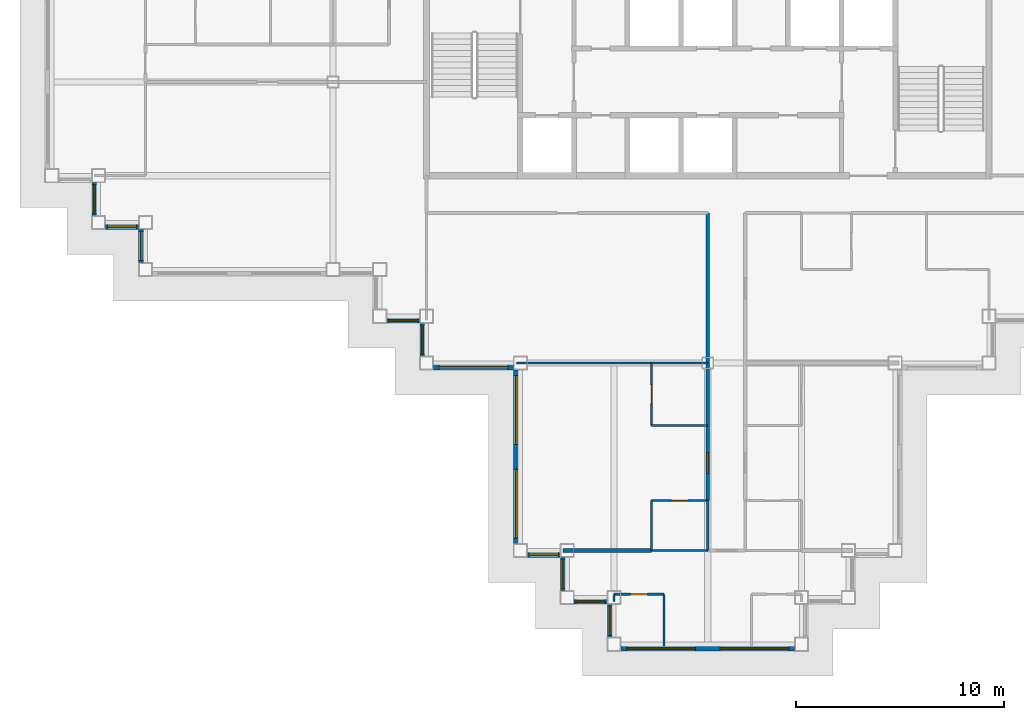
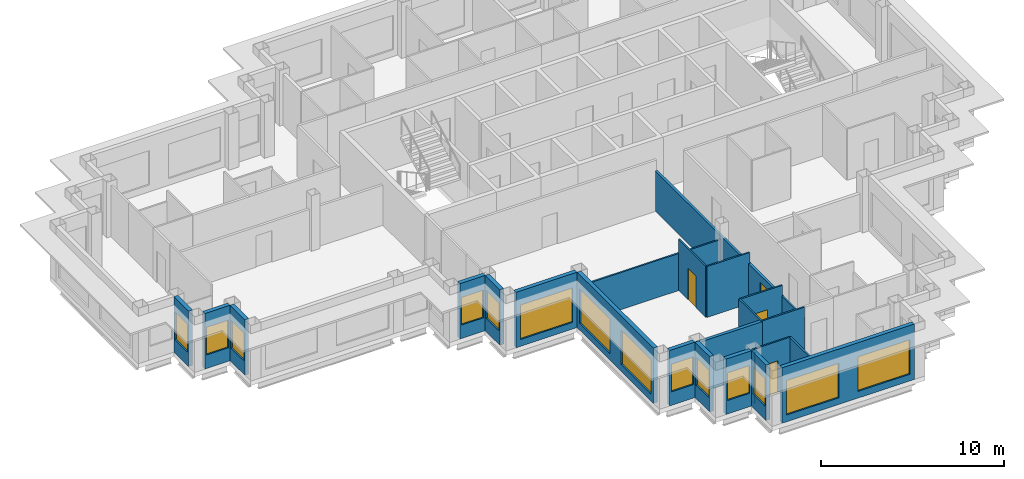
# One storey, part 2 of 12: 24 walls, 14 windows, 4 doors, 18 openings.
"""IFC4 building model written with IfcOpenShell, lengths in metres."""

import ifcopenshell
import ifcopenshell.guid

model = None  # the IFC model being written
_history = None  # IfcOwnerHistory: only IFC2X3 demands one
_inside = {}  # id of a spatial element -> (the spatial element, [elements in it])
_under = {}  # id of a project, library or spatial element -> (it, [spatial elements below it])
_declared = {}  # id of a project -> (the project, [libraries it declares])
_typed = {}  # id of a type object -> (the type object, [elements of that type])
_made_of = {}  # id of a material, layer set ... -> (it, [elements and type objects made of it])


def new_model(schema):
    """Start an empty IFC model of exactly this schema.

    Asked for "IFC4X3", IfcOpenShell would pick the latest addendum, in which some entities
    have other attributes; the version numbers below select the first issue.
    IFC2X3 requires an IfcOwnerHistory on every rooted entity: one is made here for all.
    """
    global model, _history
    if schema == "IFC4X3":
        model = ifcopenshell.file(schema_version=(4, 3, 0, 0))
    else:
        model = ifcopenshell.file(schema=schema)
    _inside.clear()
    _under.clear()
    _declared.clear()
    _typed.clear()
    _made_of.clear()
    _history = None
    if model.schema == "IFC2X3":
        org = make("IfcOrganization", Name="unknown")
        user = make(
            "IfcPersonAndOrganization",
            ThePerson=make("IfcPerson", FamilyName="unknown"),
            TheOrganization=org,
        )
        app = make(
            "IfcApplication",
            ApplicationDeveloper=org,
            Version="unknown",
            ApplicationFullName="unknown",
            ApplicationIdentifier="unknown",
        )
        _history = make(
            "IfcOwnerHistory",
            OwningUser=user,
            OwningApplication=app,
            ChangeAction="ADDED",
            CreationDate=0,
        )
    return model


def make(cls, **values):
    """One entity of the class cls with the attributes given. An attribute that is None is left unset."""
    return model.create_entity(
        cls, **{name: value for name, value in values.items() if value is not None}
    )


def rooted(cls, **values):
    """An entity with a GlobalId (a new one), such as an element, a storey or a relation."""
    return make(cls, GlobalId=ifcopenshell.guid.new(), OwnerHistory=_history, **values)


def si_unit(unit_type, name, prefix=None):
    """IfcSIUnit, for example si_unit("LENGTHUNIT", "METRE", prefix="MILLI")."""
    return make("IfcSIUnit", UnitType=unit_type, Prefix=prefix, Name=name)


def assignment(units):
    """IfcUnitAssignment: the units of a project."""
    return None if units is None else make("IfcUnitAssignment", Units=units)


def point(xyz):
    """IfcCartesianPoint."""
    return None if xyz is None else make("IfcCartesianPoint", Coordinates=xyz)


def direction(xyz):
    """IfcDirection."""
    return None if xyz is None else make("IfcDirection", DirectionRatios=xyz)


def frame(location, z_axis=None, x_axis=None):
    """IfcAxis2Placement3D, a coordinate frame: its origin and axes. An axis left out is left unset."""
    return make(
        "IfcAxis2Placement3D",
        Location=point(location),
        Axis=direction(z_axis),
        RefDirection=direction(x_axis),
    )


def frame_2d(location, x_axis=None):
    """IfcAxis2Placement2D, a coordinate frame in the plane: its origin and x axis."""
    return make(
        "IfcAxis2Placement2D", Location=point(location), RefDirection=direction(x_axis)
    )


def origin():
    """The frame at (0, 0, 0) with its axes left unset."""
    return frame((0.0, 0.0, 0.0))


def place(relative_to, where):
    """IfcLocalPlacement: puts the frame where relative to a parent placement (None: the world)."""
    return make(
        "IfcLocalPlacement", PlacementRelTo=relative_to, RelativePlacement=where
    )


def context(
    kind, dimensions, precision=None, world=None, true_north=None, identifier=None
):
    """IfcGeometricRepresentationContext, for example the 3D "Model" context."""
    return make(
        "IfcGeometricRepresentationContext",
        ContextIdentifier=identifier,
        ContextType=kind,
        CoordinateSpaceDimension=dimensions,
        Precision=precision,
        WorldCoordinateSystem=world,
        TrueNorth=true_north,
    )


def subcontext(parent, identifier, kind, view, scale=None):
    """IfcGeometricRepresentationSubContext, for example "Body" below "Model"."""
    return make(
        "IfcGeometricRepresentationSubContext",
        ContextIdentifier=identifier,
        ContextType=kind,
        ParentContext=parent,
        TargetScale=scale,
        TargetView=view,
    )


def project(units=None, contexts=None):
    """IfcProject with its units and contexts."""
    return rooted(
        "IfcProject",
        Name="project",
        RepresentationContexts=contexts,
        UnitsInContext=assignment(units),
    )


def spatial(cls, under=None, at=None, **own):
    """A site, building, storey or space (cls), placed at a placement, below another one or the project."""
    s = rooted(cls, ObjectPlacement=at, **own)
    if under is not None:
        _under.setdefault(under.id(), (under, []))[1].append(s)
    return s


def profile(cls, at=None, kind="AREA", **sizes):
    """A parametric profile (cls). Its sizes go by their IFC names, for example OverallWidth=200.0."""
    return make(cls, ProfileType=kind, Position=at, **sizes)


def rectangle(**sizes):
    """IfcRectangleProfileDef."""
    return profile("IfcRectangleProfileDef", **sizes)


def extrude(swept, where, along, depth):
    """IfcExtrudedAreaSolid: the profile swept, set in the frame where, extruded along a direction by depth."""
    return make(
        "IfcExtrudedAreaSolid",
        SweptArea=swept,
        Position=where,
        ExtrudedDirection=direction(along),
        Depth=depth,
    )


def shape(context_of_items, identifier, shape_type, items):
    """IfcShapeRepresentation: the items that make up one representation, for example the "Body"."""
    return make(
        "IfcShapeRepresentation",
        ContextOfItems=context_of_items,
        RepresentationIdentifier=identifier,
        RepresentationType=shape_type,
        Items=items,
    )


def material(Name=None, Category=None):
    """IfcMaterial."""
    return make("IfcMaterial", Name=Name, Category=Category)


def layer(
    of_material, thickness, ventilated=None, Name=None, Category=None, Priority=None
):
    """IfcMaterialLayer: one layer of a wall or slab, of a material (None: an air gap)."""
    return make(
        "IfcMaterialLayer",
        Material=of_material,
        LayerThickness=thickness,
        IsVentilated=ventilated,
        Name=Name,
        Category=Category,
        Priority=Priority,
    )


def layer_set(layers, Name=None):
    """IfcMaterialLayerSet."""
    return make("IfcMaterialLayerSet", MaterialLayers=layers, LayerSetName=Name)


def made_of(thing, what):
    """Note that an element or type object is made of a material, layer set ...; save() writes the relation."""
    if what is not None:
        _made_of.setdefault(what.id(), (what, []))[1].append(thing)
    return thing


def type_object(cls, material=None, **own):
    """A type object (cls), such as IfcWallType, which elements share."""
    return made_of(rooted(cls, **own), material)


def element(
    cls,
    number,
    at=None,
    inside=None,
    cuts=None,
    type_object=None,
    material=None,
    context=None,
    identifier="Body",
    shape_type=None,
    held_by="IfcProductDefinitionShape",
    body=None,
    shapes=None,
    **own,
):
    """One element of the class cls, such as IfcWall. Its Tag is "e" and its number.

    at: its placement. inside: the storey or other place that contains it. cuts: it is an
    opening in that element (IfcRelVoidsElement). A single representation is given by context,
    identifier, shape_type and body (its items); several are given by shapes. held_by: the class
    of the entity that holds the representations. save() writes the other relations.
    """
    e = rooted(cls, Tag="e%d" % number, ObjectPlacement=at, **own)
    if body is not None:
        shapes = [shape(context, identifier, shape_type, body)]
    if shapes is not None:
        e.Representation = make(held_by, Representations=shapes)
    if inside is not None:
        _inside.setdefault(inside.id(), (inside, []))[1].append(e)
    if cuts is not None:
        rooted(
            "IfcRelVoidsElement", RelatingBuildingElement=cuts, RelatedOpeningElement=e
        )
    if type_object is not None:
        _typed.setdefault(type_object.id(), (type_object, []))[1].append(e)
    return made_of(e, material)


def fill(opening, filler):
    """IfcRelFillsElement: the door or window that sits in an opening."""
    return rooted(
        "IfcRelFillsElement",
        RelatingOpeningElement=opening,
        RelatedBuildingElement=filler,
    )


def aggregate(whole, parts):
    """IfcRelAggregates: a whole, such as a stair, and the parts it consists of."""
    return rooted("IfcRelAggregates", RelatingObject=whole, RelatedObjects=parts)


def save(model, path):
    """Write the relations noted so far, then the file.

    IfcRelAggregates (storeys below a building ...), IfcRelContainedInSpatialStructure (elements
    in a storey), IfcRelDefinesByType, IfcRelAssociatesMaterial and IfcRelDeclares: one each for
    every whole, place, type object, material and project.
    """
    for whole, parts in _under.values():
        aggregate(whole, parts)
    for where, things in _inside.values():
        rooted(
            "IfcRelContainedInSpatialStructure",
            RelatedElements=things,
            RelatingStructure=where,
        )
    for kind, things in _typed.values():
        rooted("IfcRelDefinesByType", RelatedObjects=things, RelatingType=kind)
    for what, things in _made_of.values():
        rooted("IfcRelAssociatesMaterial", RelatedObjects=things, RelatingMaterial=what)
    for by, libraries in _declared.values():
        rooted("IfcRelDeclares", RelatingContext=by, RelatedDefinitions=libraries)
    model.write(path)


model = new_model("IFC4")

# Units and contexts
model_context = context("Model", 3, precision=1e-05, world=origin(), true_north=direction((0.0, 1.0)))
body_context = subcontext(model_context, "Body", "Model", "MODEL_VIEW")
ifc_project = project(units=[si_unit("LENGTHUNIT", "METRE"), si_unit("AREAUNIT", "SQUARE_METRE"), si_unit("VOLUMEUNIT", "CUBIC_METRE"), si_unit("PLANEANGLEUNIT", "RADIAN"), si_unit("MASSUNIT", "GRAM", prefix="KILO")], contexts=[model_context])

# Site, building, storey
site_placement = place(None, origin())
site = spatial("IfcSite", under=ifc_project, at=site_placement, CompositionType="ELEMENT")
building_placement = place(site_placement, origin())
building = spatial("IfcBuilding", under=site, at=building_placement, Name="Caravel Reach Hotel and Residences", CompositionType="ELEMENT")
storey_placement = place(building_placement, frame((0.0, 0.0, 214.60009765625)))
storey = spatial("IfcBuildingStorey", under=building, at=storey_placement, Name="L54", CompositionType="ELEMENT", Elevation=214.60009765625)

# Wall, opening, door
ifc_material_1 = material(Name="Gypsum board on steel stud", Category="steel")
ifc_layer_1 = layer(ifc_material_1, 0.10009765625)
ifc_layer_set_1 = layer_set([ifc_layer_1], Name="Bathroom pod wall 100 mm")
wall_type_1 = type_object("IfcWallType", Name="Bathroom pod wall 100 mm", PredefinedType="PARTITIONING", material=ifc_layer_set_1)
wall_1_placement = place(storey_placement, frame((27.0, 2.39990234375, 0.0), z_axis=(0.0, 0.0, 1.0), x_axis=(1.0, 0.0, 0.0)))
wall_1 = element("IfcWall", 1, at=wall_1_placement, inside=storey, type_object=wall_type_1, Name="L54 wall w077", PredefinedType="PARTITIONING", context=body_context, shape_type="SweptSolid", body=[
    extrude(rectangle(XDim=2.39990234375, YDim=0.10009765625, at=frame_2d((1.199951171875, 0.0))), origin(), (0.0, 0.0, 1.0), 3.39990234375),
])
opening_1_placement = place(wall_1_placement, frame((0.800048828125, 0.0, 0.0)))
opening_1 = element("IfcOpeningElement", 2, at=opening_1_placement, cuts=wall_1, Name="Opening D54-047", PredefinedType="OPENING", context=body_context, shape_type="SweptSolid", body=[
    extrude(rectangle(XDim=0.800048828125, YDim=2.10009765625, at=frame_2d((0.39990234375, 1.050048828125))), frame((0.0, 0.06005859375, 0.0), z_axis=(0.0, -1.0, 0.0), x_axis=(1.0, 0.0, 0.0)), (0.0, 0.0, 1.0), 0.1201171875),
])
ifc_material_2 = material(Name="Timber and steel door leaf", Category="steel")
door_type_1 = type_object("IfcDoorType", Name="Bathroom door 800 x 2100", OperationType="SINGLE_SWING_LEFT", PredefinedType="DOOR", material=ifc_material_2)
door_1_placement = place(opening_1_placement, origin())
door_1 = element("IfcDoor", 3, at=door_1_placement, inside=storey, type_object=door_type_1, Name="door D54-047", OperationType="SINGLE_SWING_RIGHT", OverallHeight=2.10009765625, OverallWidth=0.800048828125, PredefinedType="DOOR", context=body_context, shape_type="SweptSolid", body=[
    extrude(rectangle(XDim=0.800048828125, YDim=2.10009765625, at=frame_2d((0.39990234375, 1.050048828125))), frame((0.0, 0.02490234375, 0.0), z_axis=(0.0, -1.0, 0.0), x_axis=(1.0, 0.0, 0.0)), (0.0, 0.0, 1.0), 0.050048828125),
])
fill(opening_1, door_1)

# Wall
wall_2_placement = place(storey_placement, frame((28.800048828125, 4.5, 0.0), z_axis=(0.0, 0.0, 1.0), x_axis=(1.0, 0.0, 0.0)))
element("IfcWall", 4, at=wall_2_placement, inside=storey, type_object=wall_type_1, Name="L54 wall w087", PredefinedType="PARTITIONING", context=body_context, shape_type="SweptSolid", body=[
    extrude(rectangle(XDim=2.699951171875, YDim=0.10009765625, at=frame_2d((1.35009765625, 0.0))), origin(), (0.0, 0.0, 1.0), 3.39990234375),
])

# Wall, opening, door
wall_3_placement = place(storey_placement, frame((28.800048828125, 6.89990234375, 0.0), z_axis=(0.0, 0.0, 1.0), x_axis=(1.0, 0.0, 0.0)))
wall_3 = element("IfcWall", 5, at=wall_3_placement, inside=storey, type_object=wall_type_1, Name="L54 wall w089", PredefinedType="PARTITIONING", context=body_context, shape_type="SweptSolid", body=[
    extrude(rectangle(XDim=2.699951171875, YDim=0.10009765625, at=frame_2d((1.35009765625, 0.0))), origin(), (0.0, 0.0, 1.0), 3.39990234375),
])
opening_2_placement = place(wall_3_placement, frame((0.949951171875, 0.0, 0.0)))
opening_2 = element("IfcOpeningElement", 6, at=opening_2_placement, cuts=wall_3, Name="Opening D54-037", PredefinedType="OPENING", context=body_context, shape_type="SweptSolid", body=[
    extrude(rectangle(XDim=0.800048828125, YDim=2.10009765625, at=frame_2d((0.39990234375, 1.050048828125))), frame((0.0, 0.06005859375, 0.0), z_axis=(0.0, -1.0, 0.0), x_axis=(1.0, 0.0, 0.0)), (0.0, 0.0, 1.0), 0.1201171875),
])
door_2_placement = place(opening_2_placement, origin())
door_2 = element("IfcDoor", 7, at=door_2_placement, inside=storey, type_object=door_type_1, Name="door D54-037", OperationType="SINGLE_SWING_RIGHT", OverallHeight=2.10009765625, OverallWidth=0.800048828125, PredefinedType="DOOR", context=body_context, shape_type="SweptSolid", body=[
    extrude(rectangle(XDim=0.800048828125, YDim=2.10009765625, at=frame_2d((0.39990234375, 1.050048828125))), frame((0.0, 0.02490234375, 0.0), z_axis=(0.0, -1.0, 0.0), x_axis=(1.0, 0.0, 0.0)), (0.0, 0.0, 1.0), 0.050048828125),
])
fill(opening_2, door_2)

# Walls
wall_4_placement = place(storey_placement, frame((27.0, 2.06005859375, 0.0), z_axis=(0.0, 0.0, 1.0), x_axis=(0.0, 1.0, 0.0)))
element("IfcWall", 8, at=wall_4_placement, inside=storey, type_object=wall_type_1, Name="L54 wall w092", PredefinedType="PARTITIONING", context=body_context, shape_type="SweptSolid", body=[
    extrude(rectangle(XDim=0.33984375, YDim=0.10009765625, at=frame_2d((0.169921875, 0.0))), origin(), (0.0, 0.0, 1.0), 3.39990234375),
])
wall_5_placement = place(storey_placement, frame((28.800048828125, 4.5, 0.0), z_axis=(0.0, 0.0, 1.0), x_axis=(0.0, 1.0, 0.0)))
element("IfcWall", 9, at=wall_5_placement, inside=storey, type_object=wall_type_1, Name="L54 wall w093", PredefinedType="PARTITIONING", context=body_context, shape_type="SweptSolid", body=[
    extrude(rectangle(XDim=2.39990234375, YDim=0.10009765625, at=frame_2d((1.199951171875, 0.0))), origin(), (0.0, 0.0, 1.0), 3.39990234375),
])
wall_6_placement = place(storey_placement, frame((29.39990234375, -0.074951171875, 0.0), z_axis=(0.0, 0.0, 1.0), x_axis=(0.0, 1.0, 0.0)))
element("IfcWall", 10, at=wall_6_placement, inside=storey, type_object=wall_type_1, Name="L54 wall w094", PredefinedType="PARTITIONING", context=body_context, shape_type="SweptSolid", body=[
    extrude(rectangle(XDim=2.474853515625, YDim=0.10009765625, at=frame_2d((1.2373046875, 0.0))), origin(), (0.0, 0.0, 1.0), 3.39990234375),
])
wall_7_placement = place(storey_placement, frame((31.5, 4.5, 0.0), z_axis=(0.0, 0.0, 1.0), x_axis=(0.0, 1.0, 0.0)))
element("IfcWall", 11, at=wall_7_placement, inside=storey, type_object=wall_type_1, Name="L54 wall w096", PredefinedType="PARTITIONING", context=body_context, shape_type="SweptSolid", body=[
    extrude(rectangle(XDim=2.39990234375, YDim=0.10009765625, at=frame_2d((1.199951171875, 0.0))), origin(), (0.0, 0.0, 1.0), 2.679931640625),
])

# Wall, opening, door
ifc_material_3 = material(Name="Gypsum board on steel stud, fire-rated", Category="steel")
ifc_layer_2 = layer(ifc_material_3, 0.14990234375)
ifc_layer_set_2 = layer_set([ifc_layer_2], Name="Corridor wall 150 mm EI 60")
wall_type_2 = type_object("IfcWallType", Name="Corridor wall 150 mm EI 60", PredefinedType="PARTITIONING", material=ifc_layer_set_2)
wall_8_placement = place(storey_placement, frame((31.5, 6.89990234375, 0.0), z_axis=(0.0, 0.0, 1.0), x_axis=(0.0, 1.0, 0.0)))
wall_8 = element("IfcWall", 12, at=wall_8_placement, inside=storey, type_object=wall_type_2, Name="L54 wall w021", PredefinedType="PARTITIONING", context=body_context, shape_type="SweptSolid", body=[
    extrude(rectangle(XDim=13.800048828125, YDim=0.14990234375, at=frame_2d((6.89990234375, 0.0))), origin(), (0.0, 0.0, 1.0), 2.679931640625),
])
opening_3_placement = place(wall_8_placement, frame((1.300048828125, 0.0, 0.0)))
opening_3 = element("IfcOpeningElement", 13, at=opening_3_placement, cuts=wall_8, Name="Opening D54-036", PredefinedType="OPENING", context=body_context, shape_type="SweptSolid", body=[
    extrude(rectangle(XDim=1.0, YDim=2.199951171875, at=frame_2d((0.5, 1.10009765625))), frame((0.0, 0.0849609375, 0.0), z_axis=(0.0, -1.0, 0.0), x_axis=(1.0, 0.0, 0.0)), (0.0, 0.0, 1.0), 0.169921875),
])
ifc_material_4 = material(Name="Steel fire door leaf", Category="steel")
door_type_2 = type_object("IfcDoorType", Name="Flat entrance door 1000 x 2200 EI 60", OperationType="SINGLE_SWING_LEFT", PredefinedType="DOOR", material=ifc_material_4)
door_3_placement = place(opening_3_placement, origin())
door_3 = element("IfcDoor", 14, at=door_3_placement, inside=storey, type_object=door_type_2, Name="door D54-036", OperationType="SINGLE_SWING_LEFT", OverallHeight=2.199951171875, OverallWidth=1.0, PredefinedType="DOOR", context=body_context, shape_type="SweptSolid", body=[
    extrude(rectangle(XDim=1.0, YDim=2.199951171875, at=frame_2d((0.5, 1.10009765625))), frame((0.0, 0.02490234375, 0.0), z_axis=(0.0, -1.0, 0.0), x_axis=(1.0, 0.0, 0.0)), (0.0, 0.0, 1.0), 0.050048828125),
])
fill(opening_3, door_3)

# Wall, opening, window
ifc_material_5 = material(Name="Insulated rainscreen wall, aluminium cladding", Category="aluminium")
ifc_layer_3 = layer(ifc_material_5, 0.25)
ifc_layer_set_3 = layer_set([ifc_layer_3], Name="EW1 Tower rainscreen wall")
wall_type_3 = type_object("IfcWallType", Name="EW1 Tower rainscreen wall", PredefinedType="SOLIDWALL", material=ifc_layer_set_3)
wall_9_placement = place(storey_placement, frame((2.050048828125, 22.175048828125, 0.0), z_axis=(0.0, 0.0, 1.0), x_axis=(0.0, -1.0, 0.0)))
wall_9 = element("IfcWall", 15, at=wall_9_placement, inside=storey, type_object=wall_type_3, Name="External wall L54 W22.1", PredefinedType="SOLIDWALL", context=body_context, shape_type="SweptSolid", body=[
    extrude(rectangle(XDim=1.60009765625, YDim=0.25, at=frame_2d((0.800048828125, 0.0))), origin(), (0.0, 0.0, 1.0), 3.699951171875),
])
opening_4_placement = place(wall_9_placement, frame((0.10009765625, 0.0, 0.89990234375)))
opening_4 = element("IfcOpeningElement", 16, at=opening_4_placement, cuts=wall_9, Name="Opening WN22", PredefinedType="OPENING", context=body_context, shape_type="SweptSolid", body=[
    extrude(rectangle(XDim=1.39990234375, YDim=1.85009765625, at=frame_2d((0.699951171875, 0.925048828125))), frame((0.0, 0.135009765625, 0.0), z_axis=(0.0, -1.0, 0.0), x_axis=(1.0, 0.0, 0.0)), (0.0, 0.0, 1.0), 0.27001953125),
])
ifc_material_6 = material(Name="Dark low-e glazing in black aluminium frame", Category="aluminium")
window_type_1 = type_object("IfcWindowType", Name="Residence bedroom window 1400 x 1850", PartitioningType="SINGLE_PANEL", PredefinedType="WINDOW", material=ifc_material_6)
window_1_placement = place(opening_4_placement, origin())
window_1 = element("IfcWindow", 17, at=window_1_placement, inside=storey, type_object=window_type_1, Name="Window L54 W22.1.1", OverallHeight=1.85009765625, OverallWidth=1.39990234375, PartitioningType="SINGLE_PANEL", PredefinedType="WINDOW", context=body_context, shape_type="SweptSolid", body=[
    extrude(rectangle(XDim=1.39990234375, YDim=1.85009765625, at=frame_2d((0.699951171875, 0.925048828125))), frame((0.0, 0.030029296875, 0.0), z_axis=(0.0, -1.0, 0.0), x_axis=(1.0, 0.0, 0.0)), (0.0, 0.0, 1.0), 0.06005859375),
])
fill(opening_4, window_1)

wall_10_placement = place(storey_placement, frame((2.574951171875, 20.050048828125, 0.0), z_axis=(0.0, 0.0, 1.0), x_axis=(1.0, 0.0, 0.0)))
wall_10 = element("IfcWall", 18, at=wall_10_placement, inside=storey, type_object=wall_type_3, Name="External wall L54 S23.1", PredefinedType="SOLIDWALL", context=body_context, shape_type="SweptSolid", body=[
    extrude(rectangle(XDim=1.60009765625, YDim=0.25, at=frame_2d((0.800048828125, 0.0))), origin(), (0.0, 0.0, 1.0), 3.699951171875),
])
opening_5_placement = place(wall_10_placement, frame((0.10009765625, 0.0, 0.89990234375)))
opening_5 = element("IfcOpeningElement", 19, at=opening_5_placement, cuts=wall_10, Name="Opening WN22", PredefinedType="OPENING", context=body_context, shape_type="SweptSolid", body=[
    extrude(rectangle(XDim=1.39990234375, YDim=1.85009765625, at=frame_2d((0.699951171875, 0.925048828125))), frame((0.0, 0.135009765625, 0.0), z_axis=(0.0, -1.0, 0.0), x_axis=(1.0, 0.0, 0.0)), (0.0, 0.0, 1.0), 0.27001953125),
])
window_2_placement = place(opening_5_placement, origin())
window_2 = element("IfcWindow", 20, at=window_2_placement, inside=storey, type_object=window_type_1, Name="Window L54 S23.1.1", OverallHeight=1.85009765625, OverallWidth=1.39990234375, PartitioningType="SINGLE_PANEL", PredefinedType="WINDOW", context=body_context, shape_type="SweptSolid", body=[
    extrude(rectangle(XDim=1.39990234375, YDim=1.85009765625, at=frame_2d((0.699951171875, 0.925048828125))), frame((0.0, 0.030029296875, 0.0), z_axis=(0.0, -1.0, 0.0), x_axis=(1.0, 0.0, 0.0)), (0.0, 0.0, 1.0), 0.06005859375),
])
fill(opening_5, window_2)

wall_11_placement = place(storey_placement, frame((4.300048828125, 19.925048828125, 0.0), z_axis=(0.0, 0.0, 1.0), x_axis=(0.0, -1.0, 0.0)))
wall_11 = element("IfcWall", 21, at=wall_11_placement, inside=storey, type_object=wall_type_3, Name="External wall L54 W24.1", PredefinedType="SOLIDWALL", context=body_context, shape_type="SweptSolid", body=[
    extrude(rectangle(XDim=1.60009765625, YDim=0.25, at=frame_2d((0.800048828125, 0.0))), origin(), (0.0, 0.0, 1.0), 3.699951171875),
])
opening_6_placement = place(wall_11_placement, frame((0.10009765625, 0.0, 0.89990234375)))
opening_6 = element("IfcOpeningElement", 22, at=opening_6_placement, cuts=wall_11, Name="Opening WN22", PredefinedType="OPENING", context=body_context, shape_type="SweptSolid", body=[
    extrude(rectangle(XDim=1.39990234375, YDim=1.85009765625, at=frame_2d((0.699951171875, 0.925048828125))), frame((0.0, 0.135009765625, 0.0), z_axis=(0.0, -1.0, 0.0), x_axis=(1.0, 0.0, 0.0)), (0.0, 0.0, 1.0), 0.27001953125),
])
window_3_placement = place(opening_6_placement, origin())
window_3 = element("IfcWindow", 23, at=window_3_placement, inside=storey, type_object=window_type_1, Name="Window L54 W24.1.1", OverallHeight=1.85009765625, OverallWidth=1.39990234375, PartitioningType="SINGLE_PANEL", PredefinedType="WINDOW", context=body_context, shape_type="SweptSolid", body=[
    extrude(rectangle(XDim=1.39990234375, YDim=1.85009765625, at=frame_2d((0.699951171875, 0.925048828125))), frame((0.0, 0.030029296875, 0.0), z_axis=(0.0, -1.0, 0.0), x_axis=(1.0, 0.0, 0.0)), (0.0, 0.0, 1.0), 0.06005859375),
])
fill(opening_6, window_3)

wall_12_placement = place(storey_placement, frame((16.074951171875, 15.550048828125, 0.0), z_axis=(0.0, 0.0, 1.0), x_axis=(1.0, 0.0, 0.0)))
wall_12 = element("IfcWall", 24, at=wall_12_placement, inside=storey, type_object=wall_type_3, Name="External wall L54 S27.1", PredefinedType="SOLIDWALL", context=body_context, shape_type="SweptSolid", body=[
    extrude(rectangle(XDim=1.60009765625, YDim=0.25, at=frame_2d((0.800048828125, 0.0))), origin(), (0.0, 0.0, 1.0), 3.699951171875),
])
opening_7_placement = place(wall_12_placement, frame((0.10009765625, 0.0, 0.89990234375)))
opening_7 = element("IfcOpeningElement", 25, at=opening_7_placement, cuts=wall_12, Name="Opening WN22", PredefinedType="OPENING", context=body_context, shape_type="SweptSolid", body=[
    extrude(rectangle(XDim=1.39990234375, YDim=1.85009765625, at=frame_2d((0.699951171875, 0.925048828125))), frame((0.0, 0.135009765625, 0.0), z_axis=(0.0, -1.0, 0.0), x_axis=(1.0, 0.0, 0.0)), (0.0, 0.0, 1.0), 0.27001953125),
])
window_4_placement = place(opening_7_placement, origin())
window_4 = element("IfcWindow", 26, at=window_4_placement, inside=storey, type_object=window_type_1, Name="Window L54 S27.1.1", OverallHeight=1.85009765625, OverallWidth=1.39990234375, PartitioningType="SINGLE_PANEL", PredefinedType="WINDOW", context=body_context, shape_type="SweptSolid", body=[
    extrude(rectangle(XDim=1.39990234375, YDim=1.85009765625, at=frame_2d((0.699951171875, 0.925048828125))), frame((0.0, 0.030029296875, 0.0), z_axis=(0.0, -1.0, 0.0), x_axis=(1.0, 0.0, 0.0)), (0.0, 0.0, 1.0), 0.06005859375),
])
fill(opening_7, window_4)

wall_13_placement = place(storey_placement, frame((17.800048828125, 15.425048828125, 0.0), z_axis=(0.0, 0.0, 1.0), x_axis=(0.0, -1.0, 0.0)))
wall_13 = element("IfcWall", 27, at=wall_13_placement, inside=storey, type_object=wall_type_3, Name="External wall L54 W28.1", PredefinedType="SOLIDWALL", context=body_context, shape_type="SweptSolid", body=[
    extrude(rectangle(XDim=1.60009765625, YDim=0.25, at=frame_2d((0.800048828125, 0.0))), origin(), (0.0, 0.0, 1.0), 3.699951171875),
])
opening_8_placement = place(wall_13_placement, frame((0.10009765625, 0.0, 0.89990234375)))
opening_8 = element("IfcOpeningElement", 28, at=opening_8_placement, cuts=wall_13, Name="Opening WN22", PredefinedType="OPENING", context=body_context, shape_type="SweptSolid", body=[
    extrude(rectangle(XDim=1.39990234375, YDim=1.85009765625, at=frame_2d((0.699951171875, 0.925048828125))), frame((0.0, 0.135009765625, 0.0), z_axis=(0.0, -1.0, 0.0), x_axis=(1.0, 0.0, 0.0)), (0.0, 0.0, 1.0), 0.27001953125),
])
window_5_placement = place(opening_8_placement, origin())
window_5 = element("IfcWindow", 29, at=window_5_placement, inside=storey, type_object=window_type_1, Name="Window L54 W28.1.1", OverallHeight=1.85009765625, OverallWidth=1.39990234375, PartitioningType="SINGLE_PANEL", PredefinedType="WINDOW", context=body_context, shape_type="SweptSolid", body=[
    extrude(rectangle(XDim=1.39990234375, YDim=1.85009765625, at=frame_2d((0.699951171875, 0.925048828125))), frame((0.0, 0.030029296875, 0.0), z_axis=(0.0, -1.0, 0.0), x_axis=(1.0, 0.0, 0.0)), (0.0, 0.0, 1.0), 0.06005859375),
])
fill(opening_8, window_5)

wall_14_placement = place(storey_placement, frame((18.324951171875, 13.300048828125, 0.0), z_axis=(0.0, 0.0, 1.0), x_axis=(1.0, 0.0, 0.0)))
wall_14 = element("IfcWall", 30, at=wall_14_placement, inside=storey, type_object=wall_type_3, Name="External wall L54 S29.1", PredefinedType="SOLIDWALL", context=body_context, shape_type="SweptSolid", body=[
    extrude(rectangle(XDim=3.85009765625, YDim=0.25, at=frame_2d((1.925048828125, 0.0))), origin(), (0.0, 0.0, 1.0), 3.699951171875),
])
opening_9_placement = place(wall_14_placement, frame((0.27490234375, 0.0, 0.449951171875)))
opening_9 = element("IfcOpeningElement", 31, at=opening_9_placement, cuts=wall_14, Name="Opening WN15", PredefinedType="OPENING", context=body_context, shape_type="SweptSolid", body=[
    extrude(rectangle(XDim=3.300048828125, YDim=2.300048828125, at=frame_2d((1.64990234375, 1.14990234375))), frame((0.0, 0.135009765625, 0.0), z_axis=(0.0, -1.0, 0.0), x_axis=(1.0, 0.0, 0.0)), (0.0, 0.0, 1.0), 0.27001953125),
])
ifc_material_7 = material(Name="Dark low-e glazing in black aluminium frame", Category="aluminium")
window_type_2 = type_object("IfcWindowType", Name="Residence living window 3300 x 2300", PartitioningType="SINGLE_PANEL", PredefinedType="WINDOW", material=ifc_material_7)
window_6_placement = place(opening_9_placement, origin())
window_6 = element("IfcWindow", 32, at=window_6_placement, inside=storey, type_object=window_type_2, Name="Window L54 S29.1.1", OverallHeight=2.300048828125, OverallWidth=3.300048828125, PartitioningType="SINGLE_PANEL", PredefinedType="WINDOW", context=body_context, shape_type="SweptSolid", body=[
    extrude(rectangle(XDim=3.300048828125, YDim=2.300048828125, at=frame_2d((1.64990234375, 1.14990234375))), frame((0.0, 0.030029296875, 0.0), z_axis=(0.0, -1.0, 0.0), x_axis=(1.0, 0.0, 0.0)), (0.0, 0.0, 1.0), 0.06005859375),
])
fill(opening_9, window_6)

# Wall, openings, windows
wall_15_placement = place(storey_placement, frame((22.300048828125, 13.175048828125, 0.0), z_axis=(0.0, 0.0, 1.0), x_axis=(0.0, -1.0, 0.0)))
wall_15 = element("IfcWall", 33, at=wall_15_placement, inside=storey, type_object=wall_type_3, Name="External wall L54 W30.1", PredefinedType="SOLIDWALL", context=body_context, shape_type="SweptSolid", body=[
    extrude(rectangle(XDim=8.35009765625, YDim=0.25, at=frame_2d((4.175048828125, 0.0))), origin(), (0.0, 0.0, 1.0), 3.699951171875),
])
opening_10_placement = place(wall_15_placement, frame((0.27490234375, 0.0, 0.449951171875)))
opening_10 = element("IfcOpeningElement", 34, at=opening_10_placement, cuts=wall_15, Name="Opening WN15", PredefinedType="OPENING", context=body_context, shape_type="SweptSolid", body=[
    extrude(rectangle(XDim=3.300048828125, YDim=2.300048828125, at=frame_2d((1.64990234375, 1.14990234375))), frame((0.0, 0.135009765625, 0.0), z_axis=(0.0, -1.0, 0.0), x_axis=(1.0, 0.0, 0.0)), (0.0, 0.0, 1.0), 0.27001953125),
])
opening_11_placement = place(wall_15_placement, frame((4.77490234375, 0.0, 0.449951171875)))
opening_11 = element("IfcOpeningElement", 35, at=opening_11_placement, cuts=wall_15, Name="Opening WN15", PredefinedType="OPENING", context=body_context, shape_type="SweptSolid", body=[
    extrude(rectangle(XDim=3.300048828125, YDim=2.300048828125, at=frame_2d((1.64990234375, 1.14990234375))), frame((0.0, 0.135009765625, 0.0), z_axis=(0.0, -1.0, 0.0), x_axis=(1.0, 0.0, 0.0)), (0.0, 0.0, 1.0), 0.27001953125),
])
window_7_placement = place(opening_10_placement, origin())
window_7 = element("IfcWindow", 36, at=window_7_placement, inside=storey, type_object=window_type_2, Name="Window L54 W30.1.1", OverallHeight=2.300048828125, OverallWidth=3.300048828125, PartitioningType="SINGLE_PANEL", PredefinedType="WINDOW", context=body_context, shape_type="SweptSolid", body=[
    extrude(rectangle(XDim=3.300048828125, YDim=2.300048828125, at=frame_2d((1.64990234375, 1.14990234375))), frame((0.0, 0.030029296875, 0.0), z_axis=(0.0, -1.0, 0.0), x_axis=(1.0, 0.0, 0.0)), (0.0, 0.0, 1.0), 0.06005859375),
])
fill(opening_10, window_7)
window_8_placement = place(opening_11_placement, origin())
window_8 = element("IfcWindow", 37, at=window_8_placement, inside=storey, type_object=window_type_2, Name="Window L54 W30.1.2", OverallHeight=2.300048828125, OverallWidth=3.300048828125, PartitioningType="SINGLE_PANEL", PredefinedType="WINDOW", context=body_context, shape_type="SweptSolid", body=[
    extrude(rectangle(XDim=3.300048828125, YDim=2.300048828125, at=frame_2d((1.64990234375, 1.14990234375))), frame((0.0, 0.030029296875, 0.0), z_axis=(0.0, -1.0, 0.0), x_axis=(1.0, 0.0, 0.0)), (0.0, 0.0, 1.0), 0.06005859375),
])
fill(opening_11, window_8)

# Wall, opening, window
wall_16_placement = place(storey_placement, frame((22.824951171875, 4.300048828125, 0.0), z_axis=(0.0, 0.0, 1.0), x_axis=(1.0, 0.0, 0.0)))
wall_16 = element("IfcWall", 38, at=wall_16_placement, inside=storey, type_object=wall_type_3, Name="External wall L54 S31.1", PredefinedType="SOLIDWALL", context=body_context, shape_type="SweptSolid", body=[
    extrude(rectangle(XDim=1.60009765625, YDim=0.25, at=frame_2d((0.800048828125, 0.0))), origin(), (0.0, 0.0, 1.0), 3.699951171875),
])
opening_12_placement = place(wall_16_placement, frame((0.10009765625, 0.0, 0.89990234375)))
opening_12 = element("IfcOpeningElement", 39, at=opening_12_placement, cuts=wall_16, Name="Opening WN22", PredefinedType="OPENING", context=body_context, shape_type="SweptSolid", body=[
    extrude(rectangle(XDim=1.39990234375, YDim=1.85009765625, at=frame_2d((0.699951171875, 0.925048828125))), frame((0.0, 0.135009765625, 0.0), z_axis=(0.0, -1.0, 0.0), x_axis=(1.0, 0.0, 0.0)), (0.0, 0.0, 1.0), 0.27001953125),
])
window_9_placement = place(opening_12_placement, origin())
window_9 = element("IfcWindow", 40, at=window_9_placement, inside=storey, type_object=window_type_1, Name="Window L54 S31.1.1", OverallHeight=1.85009765625, OverallWidth=1.39990234375, PartitioningType="SINGLE_PANEL", PredefinedType="WINDOW", context=body_context, shape_type="SweptSolid", body=[
    extrude(rectangle(XDim=1.39990234375, YDim=1.85009765625, at=frame_2d((0.699951171875, 0.925048828125))), frame((0.0, 0.030029296875, 0.0), z_axis=(0.0, -1.0, 0.0), x_axis=(1.0, 0.0, 0.0)), (0.0, 0.0, 1.0), 0.06005859375),
])
fill(opening_12, window_9)

wall_17_placement = place(storey_placement, frame((24.550048828125, 4.175048828125, 0.0), z_axis=(0.0, 0.0, 1.0), x_axis=(0.0, -1.0, 0.0)))
wall_17 = element("IfcWall", 41, at=wall_17_placement, inside=storey, type_object=wall_type_3, Name="External wall L54 W32.1", PredefinedType="SOLIDWALL", context=body_context, shape_type="SweptSolid", body=[
    extrude(rectangle(XDim=1.60009765625, YDim=0.25, at=frame_2d((0.800048828125, 0.0))), origin(), (0.0, 0.0, 1.0), 3.699951171875),
])
opening_13_placement = place(wall_17_placement, frame((0.10009765625, 0.0, 0.89990234375)))
opening_13 = element("IfcOpeningElement", 42, at=opening_13_placement, cuts=wall_17, Name="Opening WN22", PredefinedType="OPENING", context=body_context, shape_type="SweptSolid", body=[
    extrude(rectangle(XDim=1.39990234375, YDim=1.85009765625, at=frame_2d((0.699951171875, 0.925048828125))), frame((0.0, 0.135009765625, 0.0), z_axis=(0.0, -1.0, 0.0), x_axis=(1.0, 0.0, 0.0)), (0.0, 0.0, 1.0), 0.27001953125),
])
window_10_placement = place(opening_13_placement, origin())
window_10 = element("IfcWindow", 43, at=window_10_placement, inside=storey, type_object=window_type_1, Name="Window L54 W32.1.1", OverallHeight=1.85009765625, OverallWidth=1.39990234375, PartitioningType="SINGLE_PANEL", PredefinedType="WINDOW", context=body_context, shape_type="SweptSolid", body=[
    extrude(rectangle(XDim=1.39990234375, YDim=1.85009765625, at=frame_2d((0.699951171875, 0.925048828125))), frame((0.0, 0.030029296875, 0.0), z_axis=(0.0, -1.0, 0.0), x_axis=(1.0, 0.0, 0.0)), (0.0, 0.0, 1.0), 0.06005859375),
])
fill(opening_13, window_10)

wall_18_placement = place(storey_placement, frame((25.074951171875, 2.050048828125, 0.0), z_axis=(0.0, 0.0, 1.0), x_axis=(1.0, 0.0, 0.0)))
wall_18 = element("IfcWall", 44, at=wall_18_placement, inside=storey, type_object=wall_type_3, Name="External wall L54 S33.1", PredefinedType="SOLIDWALL", context=body_context, shape_type="SweptSolid", body=[
    extrude(rectangle(XDim=1.60009765625, YDim=0.25, at=frame_2d((0.800048828125, 0.0))), origin(), (0.0, 0.0, 1.0), 3.699951171875),
])
opening_14_placement = place(wall_18_placement, frame((0.10009765625, 0.0, 0.89990234375)))
opening_14 = element("IfcOpeningElement", 45, at=opening_14_placement, cuts=wall_18, Name="Opening WN22", PredefinedType="OPENING", context=body_context, shape_type="SweptSolid", body=[
    extrude(rectangle(XDim=1.39990234375, YDim=1.85009765625, at=frame_2d((0.699951171875, 0.925048828125))), frame((0.0, 0.135009765625, 0.0), z_axis=(0.0, -1.0, 0.0), x_axis=(1.0, 0.0, 0.0)), (0.0, 0.0, 1.0), 0.27001953125),
])
window_11_placement = place(opening_14_placement, origin())
window_11 = element("IfcWindow", 46, at=window_11_placement, inside=storey, type_object=window_type_1, Name="Window L54 S33.1.1", OverallHeight=1.85009765625, OverallWidth=1.39990234375, PartitioningType="SINGLE_PANEL", PredefinedType="WINDOW", context=body_context, shape_type="SweptSolid", body=[
    extrude(rectangle(XDim=1.39990234375, YDim=1.85009765625, at=frame_2d((0.699951171875, 0.925048828125))), frame((0.0, 0.030029296875, 0.0), z_axis=(0.0, -1.0, 0.0), x_axis=(1.0, 0.0, 0.0)), (0.0, 0.0, 1.0), 0.06005859375),
])
fill(opening_14, window_11)

wall_19_placement = place(storey_placement, frame((26.800048828125, 1.925048828125, 0.0), z_axis=(0.0, 0.0, 1.0), x_axis=(0.0, -1.0, 0.0)))
wall_19 = element("IfcWall", 47, at=wall_19_placement, inside=storey, type_object=wall_type_3, Name="External wall L54 W34.1", PredefinedType="SOLIDWALL", context=body_context, shape_type="SweptSolid", body=[
    extrude(rectangle(XDim=1.60009765625, YDim=0.25, at=frame_2d((0.800048828125, 0.0))), origin(), (0.0, 0.0, 1.0), 3.699951171875),
])
opening_15_placement = place(wall_19_placement, frame((0.10009765625, 0.0, 0.89990234375)))
opening_15 = element("IfcOpeningElement", 48, at=opening_15_placement, cuts=wall_19, Name="Opening WN22", PredefinedType="OPENING", context=body_context, shape_type="SweptSolid", body=[
    extrude(rectangle(XDim=1.39990234375, YDim=1.85009765625, at=frame_2d((0.699951171875, 0.925048828125))), frame((0.0, 0.135009765625, 0.0), z_axis=(0.0, -1.0, 0.0), x_axis=(1.0, 0.0, 0.0)), (0.0, 0.0, 1.0), 0.27001953125),
])
window_12_placement = place(opening_15_placement, origin())
window_12 = element("IfcWindow", 49, at=window_12_placement, inside=storey, type_object=window_type_1, Name="Window L54 W34.1.1", OverallHeight=1.85009765625, OverallWidth=1.39990234375, PartitioningType="SINGLE_PANEL", PredefinedType="WINDOW", context=body_context, shape_type="SweptSolid", body=[
    extrude(rectangle(XDim=1.39990234375, YDim=1.85009765625, at=frame_2d((0.699951171875, 0.925048828125))), frame((0.0, 0.030029296875, 0.0), z_axis=(0.0, -1.0, 0.0), x_axis=(1.0, 0.0, 0.0)), (0.0, 0.0, 1.0), 0.06005859375),
])
fill(opening_15, window_12)

# Wall, openings, windows
wall_20_placement = place(storey_placement, frame((27.324951171875, -0.199951171875, 0.0), z_axis=(0.0, 0.0, 1.0), x_axis=(1.0, 0.0, 0.0)))
wall_20 = element("IfcWall", 50, at=wall_20_placement, inside=storey, type_object=wall_type_3, Name="External wall L54 S35.1", PredefinedType="SOLIDWALL", context=body_context, shape_type="SweptSolid", body=[
    extrude(rectangle(XDim=8.35009765625, YDim=0.25, at=frame_2d((4.175048828125, 0.0))), origin(), (0.0, 0.0, 1.0), 3.699951171875),
])
opening_16_placement = place(wall_20_placement, frame((0.27490234375, 0.0, 0.449951171875)))
opening_16 = element("IfcOpeningElement", 51, at=opening_16_placement, cuts=wall_20, Name="Opening WN15", PredefinedType="OPENING", context=body_context, shape_type="SweptSolid", body=[
    extrude(rectangle(XDim=3.300048828125, YDim=2.300048828125, at=frame_2d((1.64990234375, 1.14990234375))), frame((0.0, 0.135009765625, 0.0), z_axis=(0.0, -1.0, 0.0), x_axis=(1.0, 0.0, 0.0)), (0.0, 0.0, 1.0), 0.27001953125),
])
opening_17_placement = place(wall_20_placement, frame((4.77490234375, 0.0, 0.449951171875)))
opening_17 = element("IfcOpeningElement", 52, at=opening_17_placement, cuts=wall_20, Name="Opening WN15", PredefinedType="OPENING", context=body_context, shape_type="SweptSolid", body=[
    extrude(rectangle(XDim=3.300048828125, YDim=2.300048828125, at=frame_2d((1.64990234375, 1.14990234375))), frame((0.0, 0.135009765625, 0.0), z_axis=(0.0, -1.0, 0.0), x_axis=(1.0, 0.0, 0.0)), (0.0, 0.0, 1.0), 0.27001953125),
])
window_13_placement = place(opening_16_placement, origin())
window_13 = element("IfcWindow", 53, at=window_13_placement, inside=storey, type_object=window_type_2, Name="Window L54 S35.1.1", OverallHeight=2.300048828125, OverallWidth=3.300048828125, PartitioningType="SINGLE_PANEL", PredefinedType="WINDOW", context=body_context, shape_type="SweptSolid", body=[
    extrude(rectangle(XDim=3.300048828125, YDim=2.300048828125, at=frame_2d((1.64990234375, 1.14990234375))), frame((0.0, 0.030029296875, 0.0), z_axis=(0.0, -1.0, 0.0), x_axis=(1.0, 0.0, 0.0)), (0.0, 0.0, 1.0), 0.06005859375),
])
fill(opening_16, window_13)
window_14_placement = place(opening_17_placement, origin())
window_14 = element("IfcWindow", 54, at=window_14_placement, inside=storey, type_object=window_type_2, Name="Window L54 S35.1.2", OverallHeight=2.300048828125, OverallWidth=3.300048828125, PartitioningType="SINGLE_PANEL", PredefinedType="WINDOW", context=body_context, shape_type="SweptSolid", body=[
    extrude(rectangle(XDim=3.300048828125, YDim=2.300048828125, at=frame_2d((1.64990234375, 1.14990234375))), frame((0.0, 0.030029296875, 0.0), z_axis=(0.0, -1.0, 0.0), x_axis=(1.0, 0.0, 0.0)), (0.0, 0.0, 1.0), 0.06005859375),
])
fill(opening_17, window_14)

# Walls
ifc_material_8 = material(Name="Gypsum board on steel stud", Category="steel")
ifc_layer_4 = layer(ifc_material_8, 0.10009765625)
ifc_layer_set_4 = layer_set([ifc_layer_4], Name="Partition 100 mm")
wall_type_4 = type_object("IfcWallType", Name="Partition 100 mm", PredefinedType="PARTITIONING", material=ifc_layer_set_4)
wall_21_placement = place(storey_placement, frame((28.800048828125, 10.5, 0.0), z_axis=(0.0, 0.0, 1.0), x_axis=(1.0, 0.0, 0.0)))
element("IfcWall", 55, at=wall_21_placement, inside=storey, type_object=wall_type_4, Name="L54 wall w030", PredefinedType="PARTITIONING", context=body_context, shape_type="SweptSolid", body=[
    extrude(rectangle(XDim=2.699951171875, YDim=0.10009765625, at=frame_2d((1.35009765625, 0.0))), origin(), (0.0, 0.0, 1.0), 3.39990234375),
])
wall_22_placement = place(storey_placement, frame((22.31005859375, 13.5, 0.0), z_axis=(0.0, 0.0, 1.0), x_axis=(1.0, 0.0, 0.0)))
element("IfcWall", 56, at=wall_22_placement, inside=storey, type_object=wall_type_4, Name="L54 wall w031", PredefinedType="PARTITIONING", context=body_context, shape_type="SweptSolid", body=[
    extrude(rectangle(XDim=9.18994140625, YDim=0.10009765625, at=frame_2d((4.594970703125, 0.0))), origin(), (0.0, 0.0, 1.0), 2.47998046875),
])

# Wall, opening, door
wall_23_placement = place(storey_placement, frame((28.800048828125, 10.5, 0.0), z_axis=(0.0, 0.0, 1.0), x_axis=(0.0, 1.0, 0.0)))
wall_23 = element("IfcWall", 57, at=wall_23_placement, inside=storey, type_object=wall_type_4, Name="L54 wall w055", PredefinedType="PARTITIONING", context=body_context, shape_type="SweptSolid", body=[
    extrude(rectangle(XDim=3.0, YDim=0.10009765625, at=frame_2d((1.5, 0.0))), origin(), (0.0, 0.0, 1.0), 3.39990234375),
])
opening_18_placement = place(wall_23_placement, frame((1.050048828125, 0.0, 0.0)))
opening_18 = element("IfcOpeningElement", 58, at=opening_18_placement, cuts=wall_23, Name="Opening D54-038", PredefinedType="OPENING", context=body_context, shape_type="SweptSolid", body=[
    extrude(rectangle(XDim=0.89990234375, YDim=2.10009765625, at=frame_2d((0.449951171875, 1.050048828125))), frame((0.0, 0.06005859375, 0.0), z_axis=(0.0, -1.0, 0.0), x_axis=(1.0, 0.0, 0.0)), (0.0, 0.0, 1.0), 0.1201171875),
])
ifc_material_9 = material(Name="Timber and steel door leaf", Category="steel")
door_type_3 = type_object("IfcDoorType", Name="Door 900 x 2100 timber", OperationType="SINGLE_SWING_LEFT", PredefinedType="DOOR", material=ifc_material_9)
door_4_placement = place(opening_18_placement, origin())
door_4 = element("IfcDoor", 59, at=door_4_placement, inside=storey, type_object=door_type_3, Name="door D54-038", OperationType="SINGLE_SWING_RIGHT", OverallHeight=2.10009765625, OverallWidth=0.89990234375, PredefinedType="DOOR", context=body_context, shape_type="SweptSolid", body=[
    extrude(rectangle(XDim=0.89990234375, YDim=2.10009765625, at=frame_2d((0.449951171875, 1.050048828125))), frame((0.0, 0.02490234375, 0.0), z_axis=(0.0, -1.0, 0.0), x_axis=(1.0, 0.0, 0.0)), (0.0, 0.0, 1.0), 0.050048828125),
])
fill(opening_18, door_4)

# Wall
ifc_material_10 = material(Name="Autoclaved aerated block wall")
ifc_layer_5 = layer(ifc_material_10, 0.199951171875)
ifc_layer_set_5 = layer_set([ifc_layer_5], Name="Party wall 200 mm EI 60")
wall_type_5 = type_object("IfcWallType", Name="Party wall 200 mm EI 60", PredefinedType="PARTITIONING", material=ifc_layer_set_5)
wall_24_placement = place(storey_placement, frame((24.56005859375, 4.5, 0.0), z_axis=(0.0, 0.0, 1.0), x_axis=(1.0, 0.0, 0.0)))
element("IfcWall", 60, at=wall_24_placement, inside=storey, type_object=wall_type_5, Name="L54 wall w071", PredefinedType="PARTITIONING", context=body_context, shape_type="SweptSolid", body=[
    extrude(rectangle(XDim=4.239990234375, YDim=0.199951171875, at=frame_2d((2.1201171875, 0.0))), origin(), (0.0, 0.0, 1.0), 3.39990234375),
])

save(model, "model.ifc")
